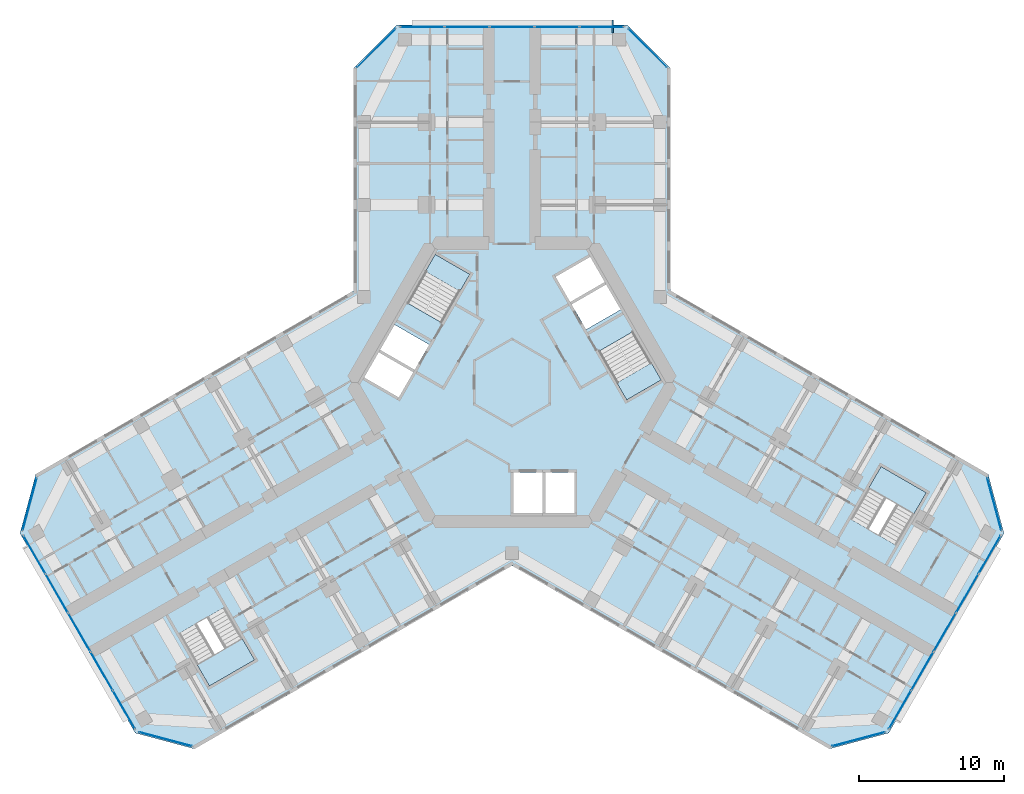
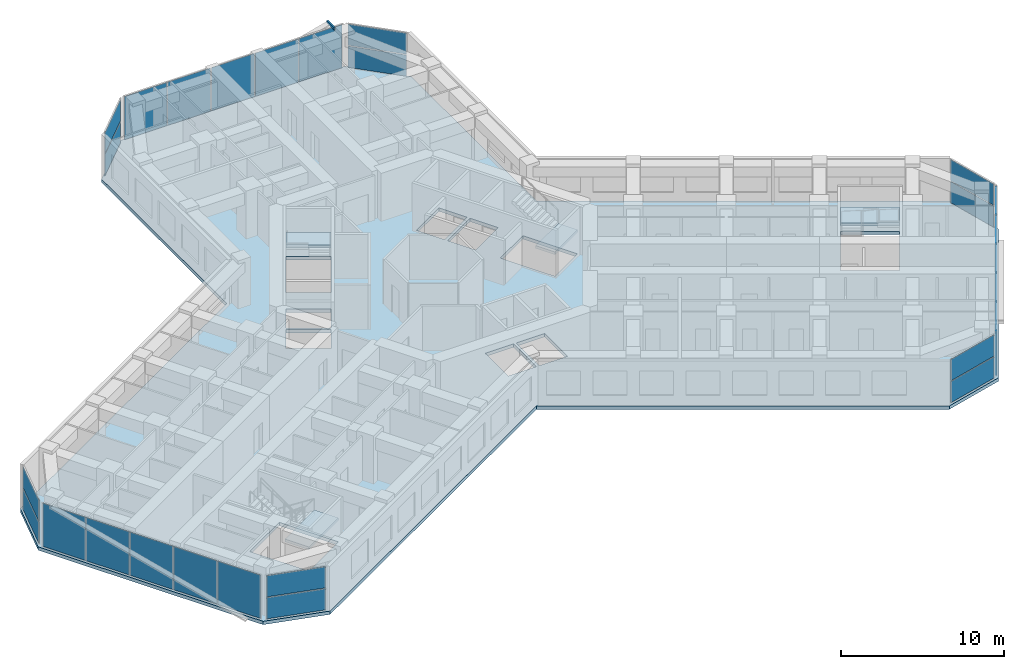
# One storey, part 9 of 19: 27 plates, 5 slabs, 1 member, 13 elements without a shape of their own.
"""IFC4 building model written with IfcOpenShell, lengths in metres."""

import ifcopenshell
import ifcopenshell.guid

model = None  # the IFC model being written
_history = None  # IfcOwnerHistory: only IFC2X3 demands one
_inside = {}  # id of a spatial element -> (the spatial element, [elements in it])
_under = {}  # id of a project, library or spatial element -> (it, [spatial elements below it])
_declared = {}  # id of a project -> (the project, [libraries it declares])
_typed = {}  # id of a type object -> (the type object, [elements of that type])
_made_of = {}  # id of a material, layer set ... -> (it, [elements and type objects made of it])


def new_model(schema):
    """Start an empty IFC model of exactly this schema.

    Asked for "IFC4X3", IfcOpenShell would pick the latest addendum, in which some entities
    have other attributes; the version numbers below select the first issue.
    IFC2X3 requires an IfcOwnerHistory on every rooted entity: one is made here for all.
    """
    global model, _history
    if schema == "IFC4X3":
        model = ifcopenshell.file(schema_version=(4, 3, 0, 0))
    else:
        model = ifcopenshell.file(schema=schema)
    _inside.clear()
    _under.clear()
    _declared.clear()
    _typed.clear()
    _made_of.clear()
    _history = None
    if model.schema == "IFC2X3":
        org = make("IfcOrganization", Name="unknown")
        user = make(
            "IfcPersonAndOrganization",
            ThePerson=make("IfcPerson", FamilyName="unknown"),
            TheOrganization=org,
        )
        app = make(
            "IfcApplication",
            ApplicationDeveloper=org,
            Version="unknown",
            ApplicationFullName="unknown",
            ApplicationIdentifier="unknown",
        )
        _history = make(
            "IfcOwnerHistory",
            OwningUser=user,
            OwningApplication=app,
            ChangeAction="ADDED",
            CreationDate=0,
        )
    return model


def make(cls, **values):
    """One entity of the class cls with the attributes given. An attribute that is None is left unset."""
    return model.create_entity(
        cls, **{name: value for name, value in values.items() if value is not None}
    )


def rooted(cls, **values):
    """An entity with a GlobalId (a new one), such as an element, a storey or a relation."""
    return make(cls, GlobalId=ifcopenshell.guid.new(), OwnerHistory=_history, **values)


def si_unit(unit_type, name, prefix=None):
    """IfcSIUnit, for example si_unit("LENGTHUNIT", "METRE", prefix="MILLI")."""
    return make("IfcSIUnit", UnitType=unit_type, Prefix=prefix, Name=name)


def assignment(units):
    """IfcUnitAssignment: the units of a project."""
    return None if units is None else make("IfcUnitAssignment", Units=units)


def point(xyz):
    """IfcCartesianPoint."""
    return None if xyz is None else make("IfcCartesianPoint", Coordinates=xyz)


def direction(xyz):
    """IfcDirection."""
    return None if xyz is None else make("IfcDirection", DirectionRatios=xyz)


def frame(location, z_axis=None, x_axis=None):
    """IfcAxis2Placement3D, a coordinate frame: its origin and axes. An axis left out is left unset."""
    return make(
        "IfcAxis2Placement3D",
        Location=point(location),
        Axis=direction(z_axis),
        RefDirection=direction(x_axis),
    )


def frame_2d(location, x_axis=None):
    """IfcAxis2Placement2D, a coordinate frame in the plane: its origin and x axis."""
    return make(
        "IfcAxis2Placement2D", Location=point(location), RefDirection=direction(x_axis)
    )


def origin():
    """The frame at (0, 0, 0) with its axes left unset."""
    return frame((0.0, 0.0, 0.0))


def origin_2d():
    """The frame at (0, 0) in the plane with its x axis left unset."""
    return frame_2d((0.0, 0.0))


def place(relative_to, where):
    """IfcLocalPlacement: puts the frame where relative to a parent placement (None: the world)."""
    return make(
        "IfcLocalPlacement", PlacementRelTo=relative_to, RelativePlacement=where
    )


def context(
    kind, dimensions, precision=None, world=None, true_north=None, identifier=None
):
    """IfcGeometricRepresentationContext, for example the 3D "Model" context."""
    return make(
        "IfcGeometricRepresentationContext",
        ContextIdentifier=identifier,
        ContextType=kind,
        CoordinateSpaceDimension=dimensions,
        Precision=precision,
        WorldCoordinateSystem=world,
        TrueNorth=true_north,
    )


def subcontext(parent, identifier, kind, view, scale=None):
    """IfcGeometricRepresentationSubContext, for example "Body" below "Model"."""
    return make(
        "IfcGeometricRepresentationSubContext",
        ContextIdentifier=identifier,
        ContextType=kind,
        ParentContext=parent,
        TargetScale=scale,
        TargetView=view,
    )


def project(units=None, contexts=None):
    """IfcProject with its units and contexts."""
    return rooted(
        "IfcProject",
        Name="project",
        RepresentationContexts=contexts,
        UnitsInContext=assignment(units),
    )


def spatial(cls, under=None, at=None, **own):
    """A site, building, storey or space (cls), placed at a placement, below another one or the project."""
    s = rooted(cls, ObjectPlacement=at, **own)
    if under is not None:
        _under.setdefault(under.id(), (under, []))[1].append(s)
    return s


def polyline(points):
    """IfcPolyline through the points."""
    return make("IfcPolyline", Points=[point(p) for p in points])


def profile(cls, at=None, kind="AREA", **sizes):
    """A parametric profile (cls). Its sizes go by their IFC names, for example OverallWidth=200.0."""
    return make(cls, ProfileType=kind, Position=at, **sizes)


def rectangle(**sizes):
    """IfcRectangleProfileDef."""
    return profile("IfcRectangleProfileDef", **sizes)


def hollow_rectangle(**sizes):
    """IfcRectangleHollowProfileDef."""
    return profile("IfcRectangleHollowProfileDef", **sizes)


def outline(outer, holes=None, kind="AREA"):
    """IfcArbitraryClosedProfileDef: a profile drawn as a closed curve; with holes, ...WithVoids."""
    if holes is None:
        return make("IfcArbitraryClosedProfileDef", ProfileType=kind, OuterCurve=outer)
    return make(
        "IfcArbitraryProfileDefWithVoids",
        ProfileType=kind,
        OuterCurve=outer,
        InnerCurves=holes,
    )


def extrude(swept, where, along, depth):
    """IfcExtrudedAreaSolid: the profile swept, set in the frame where, extruded along a direction by depth."""
    return make(
        "IfcExtrudedAreaSolid",
        SweptArea=swept,
        Position=where,
        ExtrudedDirection=direction(along),
        Depth=depth,
    )


def shape(context_of_items, identifier, shape_type, items):
    """IfcShapeRepresentation: the items that make up one representation, for example the "Body"."""
    return make(
        "IfcShapeRepresentation",
        ContextOfItems=context_of_items,
        RepresentationIdentifier=identifier,
        RepresentationType=shape_type,
        Items=items,
    )


def material(Name=None, Category=None):
    """IfcMaterial."""
    return make("IfcMaterial", Name=Name, Category=Category)


def layer(
    of_material, thickness, ventilated=None, Name=None, Category=None, Priority=None
):
    """IfcMaterialLayer: one layer of a wall or slab, of a material (None: an air gap)."""
    return make(
        "IfcMaterialLayer",
        Material=of_material,
        LayerThickness=thickness,
        IsVentilated=ventilated,
        Name=Name,
        Category=Category,
        Priority=Priority,
    )


def layer_set(layers, Name=None):
    """IfcMaterialLayerSet."""
    return make("IfcMaterialLayerSet", MaterialLayers=layers, LayerSetName=Name)


def material_profile(
    of_material, cross_section, Name=None, Category=None, Priority=None
):
    """IfcMaterialProfile: a cross section and its material."""
    return make(
        "IfcMaterialProfile",
        Name=Name,
        Material=of_material,
        Profile=cross_section,
        Priority=Priority,
        Category=Category,
    )


def profile_set(profiles, Name=None, composite=None):
    """IfcMaterialProfileSet."""
    return make(
        "IfcMaterialProfileSet",
        Name=Name,
        MaterialProfiles=profiles,
        CompositeProfile=composite,
    )


def made_of(thing, what):
    """Note that an element or type object is made of a material, layer set ...; save() writes the relation."""
    if what is not None:
        _made_of.setdefault(what.id(), (what, []))[1].append(thing)
    return thing


def type_object(cls, material=None, **own):
    """A type object (cls), such as IfcWallType, which elements share."""
    return made_of(rooted(cls, **own), material)


def element(
    cls,
    number,
    at=None,
    inside=None,
    cuts=None,
    type_object=None,
    material=None,
    context=None,
    identifier="Body",
    shape_type=None,
    held_by="IfcProductDefinitionShape",
    body=None,
    shapes=None,
    **own,
):
    """One element of the class cls, such as IfcWall. Its Tag is "e" and its number.

    at: its placement. inside: the storey or other place that contains it. cuts: it is an
    opening in that element (IfcRelVoidsElement). A single representation is given by context,
    identifier, shape_type and body (its items); several are given by shapes. held_by: the class
    of the entity that holds the representations. save() writes the other relations.
    """
    e = rooted(cls, Tag="e%d" % number, ObjectPlacement=at, **own)
    if body is not None:
        shapes = [shape(context, identifier, shape_type, body)]
    if shapes is not None:
        e.Representation = make(held_by, Representations=shapes)
    if inside is not None:
        _inside.setdefault(inside.id(), (inside, []))[1].append(e)
    if cuts is not None:
        rooted(
            "IfcRelVoidsElement", RelatingBuildingElement=cuts, RelatedOpeningElement=e
        )
    if type_object is not None:
        _typed.setdefault(type_object.id(), (type_object, []))[1].append(e)
    return made_of(e, material)


def aggregate(whole, parts):
    """IfcRelAggregates: a whole, such as a stair, and the parts it consists of."""
    return rooted("IfcRelAggregates", RelatingObject=whole, RelatedObjects=parts)


def save(model, path):
    """Write the relations noted so far, then the file.

    IfcRelAggregates (storeys below a building ...), IfcRelContainedInSpatialStructure (elements
    in a storey), IfcRelDefinesByType, IfcRelAssociatesMaterial and IfcRelDeclares: one each for
    every whole, place, type object, material and project.
    """
    for whole, parts in _under.values():
        aggregate(whole, parts)
    for where, things in _inside.values():
        rooted(
            "IfcRelContainedInSpatialStructure",
            RelatedElements=things,
            RelatingStructure=where,
        )
    for kind, things in _typed.values():
        rooted("IfcRelDefinesByType", RelatedObjects=things, RelatingType=kind)
    for what, things in _made_of.values():
        rooted("IfcRelAssociatesMaterial", RelatedObjects=things, RelatingMaterial=what)
    for by, libraries in _declared.values():
        rooted("IfcRelDeclares", RelatingContext=by, RelatedDefinitions=libraries)
    model.write(path)


model = new_model("IFC4")

# Units and contexts
model_context = context("Model", 3, precision=1e-05, world=origin(), true_north=direction((0.0, 1.0)))
body_context = subcontext(model_context, "Body", "Model", "MODEL_VIEW")
ifc_project = project(units=[si_unit("LENGTHUNIT", "METRE"), si_unit("AREAUNIT", "SQUARE_METRE"), si_unit("VOLUMEUNIT", "CUBIC_METRE"), si_unit("PLANEANGLEUNIT", "RADIAN"), si_unit("MASSUNIT", "GRAM", prefix="KILO")], contexts=[model_context])

# Site, building, storey
site_placement = place(None, origin())
site = spatial("IfcSite", under=ifc_project, at=site_placement, CompositionType="ELEMENT")
building_placement = place(site_placement, origin())
building = spatial("IfcBuilding", under=site, at=building_placement, Name="Kosmar Iwan School Tower", CompositionType="ELEMENT")
storey_placement = place(building_placement, frame((0.0, 0.0, 165.199951171875)))
storey = spatial("IfcBuildingStorey", under=building, at=storey_placement, Name="L41", CompositionType="ELEMENT", Elevation=165.199951171875)

# Member
ifc_material_1 = material(Name="Steel S355", Category="steel")
ifc_material_profile = material_profile(ifc_material_1, hollow_rectangle(XDim=0.10009765625, YDim=0.199951171875, WallThickness=0.008056640625, at=origin_2d()), Name="RHS 200x100x8")
ifc_profile_set = profile_set([ifc_material_profile], Name="Steel S355")
member_type = type_object("IfcMemberType", Name="Fin bracket RHS 200x100", PredefinedType="USERDEFINED", material=ifc_profile_set)
member_placement = place(storey_placement, frame((6.949951171875, 24.10009765625, 3.47509765625), z_axis=(0.0, 1.0, 0.0), x_axis=(-1.0, 0.0, 0.0)))
element("IfcMember", 1, at=member_placement, inside=storey, type_object=member_type, Name="Fin bracket L42", ObjectType="FIN BRACKET", PredefinedType="USERDEFINED", context=body_context, shape_type="SweptSolid", body=[
    extrude(hollow_rectangle(XDim=0.10009765625, YDim=0.199951171875, WallThickness=0.008056640625, at=origin_2d()), origin(), (0.0, 0.0, 1.0), 0.89990234375),
])

# Curtain wall, plates
ifc_material_2 = material(Name="Dark glass in black aluminium frame", Category="aluminium")
curtain_wall_type_1 = type_object("IfcCurtainWallType", Name="Chamfer curtain wall dark glass", PredefinedType="USERDEFINED", material=ifc_material_2)
curtain_wall_1_placement = place(storey_placement, origin())
curtain_wall_1 = element("IfcCurtainWall", 2, at=curtain_wall_1_placement, inside=storey, type_object=curtain_wall_type_1, Name="Curtain wall L41-F02", ObjectType="FACETED CURTAIN WALL", PredefinedType="USERDEFINED")
ifc_material_3 = material(Name="Dark glass", Category="glass")
ifc_layer_1 = layer(ifc_material_3, 0.028076171875)
ifc_layer_set_1 = layer_set([ifc_layer_1], Name="Dark glass panel 28")
plate_type = type_object("IfcPlateType", Name="Dark glass panel 28", PredefinedType="CURTAIN_PANEL", material=ifc_layer_set_1)
plate_1_placement = place(storey_placement, frame((23.908203125, -24.61328125, 0.06005859375), z_axis=(0.0, 0.0, 1.0), x_axis=(0.965925875495, 0.258818861462, 0.0)))
plate_1 = element("IfcPlate", 3, at=plate_1_placement, type_object=plate_type, Name="CW2 panel 1.1", PredefinedType="CURTAIN_PANEL", context=body_context, shape_type="SweptSolid", body=[
    extrude(rectangle(XDim=3.718994140625, YDim=0.028076171875, at=origin_2d()), origin(), (0.0, 0.0, 1.0), 1.5849609375),
])
plate_2_placement = place(storey_placement, frame((23.908203125, -24.61328125, 1.705078125), z_axis=(0.0, 0.0, 1.0), x_axis=(0.965925875495, 0.258818861462, 0.0)))
plate_2 = element("IfcPlate", 4, at=plate_2_placement, type_object=plate_type, Name="CW2 panel 1.2", PredefinedType="CURTAIN_PANEL", context=body_context, shape_type="SweptSolid", body=[
    extrude(rectangle(XDim=3.718994140625, YDim=0.028076171875, at=origin_2d()), origin(), (0.0, 0.0, 1.0), 1.5849609375),
])
aggregate(curtain_wall_1, [plate_1, plate_2])

ifc_material_4 = material(Name="Dark glass in black aluminium frame", Category="aluminium")
curtain_wall_type_2 = type_object("IfcCurtainWallType", Name="Tower curtain wall dark glass", PredefinedType="USERDEFINED", material=ifc_material_4)
curtain_wall_2_placement = place(storey_placement, origin())
curtain_wall_2 = element("IfcCurtainWall", 5, at=curtain_wall_2_placement, inside=storey, type_object=curtain_wall_type_2, Name="Curtain wall L41-F03", ObjectType="UNITISED CURTAIN WALL", PredefinedType="USERDEFINED")
plate_3_placement = place(storey_placement, frame((26.764404296875, -22.592529296875, 0.06005859375), z_axis=(0.0, 0.0, 1.0), x_axis=(0.499999997325, 0.866025405329, 0.0)))
plate_3 = element("IfcPlate", 6, at=plate_3_placement, type_object=plate_type, Name="CW1 panel 1.1", PredefinedType="CURTAIN_PANEL", context=body_context, shape_type="SweptSolid", body=[
    extrude(rectangle(XDim=3.00927734375, YDim=0.028076171875, at=origin_2d()), origin(), (0.0, 0.0, 1.0), 3.22998046875),
])
plate_4_placement = place(storey_placement, frame((28.306640625, -19.921630859375, 0.06005859375), z_axis=(0.0, 0.0, 1.0), x_axis=(0.499999997325, 0.866025405329, 0.0)))
plate_4 = element("IfcPlate", 7, at=plate_4_placement, type_object=plate_type, Name="CW1 panel 2.1", PredefinedType="CURTAIN_PANEL", context=body_context, shape_type="SweptSolid", body=[
    extrude(rectangle(XDim=3.039306640625, YDim=0.028076171875, at=origin_2d()), origin(), (0.0, 0.0, 1.0), 3.22998046875),
])
plate_5_placement = place(storey_placement, frame((29.856201171875, -17.237548828125, 0.06005859375), z_axis=(0.0, 0.0, 1.0), x_axis=(0.499999997325, 0.866025405329, 0.0)))
plate_5 = element("IfcPlate", 8, at=plate_5_placement, type_object=plate_type, Name="CW1 panel 3.1", PredefinedType="CURTAIN_PANEL", context=body_context, shape_type="SweptSolid", body=[
    extrude(rectangle(XDim=3.039306640625, YDim=0.028076171875, at=origin_2d()), origin(), (0.0, 0.0, 1.0), 3.22998046875),
])
plate_6_placement = place(storey_placement, frame((31.40576171875, -14.553466796875, 0.06005859375), z_axis=(0.0, 0.0, 1.0), x_axis=(0.499999997325, 0.866025405329, 0.0)))
plate_6 = element("IfcPlate", 9, at=plate_6_placement, type_object=plate_type, Name="CW1 panel 4.1", PredefinedType="CURTAIN_PANEL", context=body_context, shape_type="SweptSolid", body=[
    extrude(rectangle(XDim=3.039306640625, YDim=0.028076171875, at=origin_2d()), origin(), (0.0, 0.0, 1.0), 3.22998046875),
])
plate_7_placement = place(storey_placement, frame((32.947998046875, -11.88232421875, 0.06005859375), z_axis=(0.0, 0.0, 1.0), x_axis=(0.499999997325, 0.866025405329, 0.0)))
plate_7 = element("IfcPlate", 10, at=plate_7_placement, type_object=plate_type, Name="CW1 panel 5.1", PredefinedType="CURTAIN_PANEL", context=body_context, shape_type="SweptSolid", body=[
    extrude(rectangle(XDim=3.00927734375, YDim=0.028076171875, at=origin_2d()), origin(), (0.0, 0.0, 1.0), 3.22998046875),
])
aggregate(curtain_wall_2, [plate_3, plate_4, plate_5, plate_6, plate_7])

curtain_wall_3_placement = place(storey_placement, origin())
curtain_wall_3 = element("IfcCurtainWall", 11, at=curtain_wall_3_placement, inside=storey, type_object=curtain_wall_type_1, Name="Curtain wall L41-F04", ObjectType="FACETED CURTAIN WALL", PredefinedType="USERDEFINED")
plate_8_placement = place(storey_placement, frame((33.269775390625, -8.3984375, 0.06005859375), z_axis=(0.0, 0.0, 1.0), x_axis=(-0.258818861462, 0.965925875495, 0.0)))
plate_8 = element("IfcPlate", 12, at=plate_8_placement, type_object=plate_type, Name="CW2 panel 1.1", PredefinedType="CURTAIN_PANEL", context=body_context, shape_type="SweptSolid", body=[
    extrude(rectangle(XDim=3.718994140625, YDim=0.028076171875, at=origin_2d()), origin(), (0.0, 0.0, 1.0), 1.5849609375),
])
plate_9_placement = place(storey_placement, frame((33.269775390625, -8.3984375, 1.705078125), z_axis=(0.0, 0.0, 1.0), x_axis=(-0.258818861462, 0.965925875495, 0.0)))
plate_9 = element("IfcPlate", 13, at=plate_9_placement, type_object=plate_type, Name="CW2 panel 1.2", PredefinedType="CURTAIN_PANEL", context=body_context, shape_type="SweptSolid", body=[
    extrude(rectangle(XDim=3.718994140625, YDim=0.028076171875, at=origin_2d()), origin(), (0.0, 0.0, 1.0), 1.5849609375),
])
aggregate(curtain_wall_3, [plate_8, plate_9])

curtain_wall_4_placement = place(storey_placement, origin())
curtain_wall_4 = element("IfcCurtainWall", 14, at=curtain_wall_4_placement, inside=storey, type_object=curtain_wall_type_1, Name="Curtain wall L41-F07", ObjectType="FACETED CURTAIN WALL", PredefinedType="USERDEFINED")
plate_10_placement = place(storey_placement, frame((9.361572265625, 23.0615234375, 0.06005859375), z_axis=(0.0, 0.0, 1.0), x_axis=(-0.707106781187, 0.707106781187, 0.0)))
plate_10 = element("IfcPlate", 15, at=plate_10_placement, type_object=plate_type, Name="CW2 panel 1.1", PredefinedType="CURTAIN_PANEL", context=body_context, shape_type="SweptSolid", body=[
    extrude(rectangle(XDim=3.718994140625, YDim=0.028076171875, at=origin_2d()), origin(), (0.0, 0.0, 1.0), 1.5849609375),
])
plate_11_placement = place(storey_placement, frame((9.361572265625, 23.0615234375, 1.705078125), z_axis=(0.0, 0.0, 1.0), x_axis=(-0.707106781187, 0.707106781187, 0.0)))
plate_11 = element("IfcPlate", 16, at=plate_11_placement, type_object=plate_type, Name="CW2 panel 1.2", PredefinedType="CURTAIN_PANEL", context=body_context, shape_type="SweptSolid", body=[
    extrude(rectangle(XDim=3.718994140625, YDim=0.028076171875, at=origin_2d()), origin(), (0.0, 0.0, 1.0), 1.5849609375),
])
aggregate(curtain_wall_4, [plate_10, plate_11])

curtain_wall_5_placement = place(storey_placement, origin())
curtain_wall_5 = element("IfcCurtainWall", 17, at=curtain_wall_5_placement, inside=storey, type_object=curtain_wall_type_2, Name="Curtain wall L41-F08", ObjectType="UNITISED CURTAIN WALL", PredefinedType="USERDEFINED")
plate_12_placement = place(storey_placement, frame((6.18359375, 24.52490234375, 0.06005859375), z_axis=(0.0, 0.0, 1.0), x_axis=(-1.0, 0.0, 0.0)))
plate_12 = element("IfcPlate", 18, at=plate_12_placement, type_object=plate_type, Name="CW1 panel 1.1", PredefinedType="CURTAIN_PANEL", context=body_context, shape_type="SweptSolid", body=[
    extrude(rectangle(XDim=3.00927734375, YDim=0.028076171875, at=origin_2d()), origin(), (0.0, 0.0, 1.0), 3.22998046875),
])
plate_13_placement = place(storey_placement, frame((3.099365234375, 24.52490234375, 0.06005859375), z_axis=(0.0, 0.0, 1.0), x_axis=(-1.0, 0.0, 0.0)))
plate_13 = element("IfcPlate", 19, at=plate_13_placement, type_object=plate_type, Name="CW1 panel 2.1", PredefinedType="CURTAIN_PANEL", context=body_context, shape_type="SweptSolid", body=[
    extrude(rectangle(XDim=3.039306640625, YDim=0.028076171875, at=origin_2d()), origin(), (0.0, 0.0, 1.0), 3.22998046875),
])
plate_14_placement = place(storey_placement, frame((0.0, 24.52490234375, 0.06005859375), z_axis=(0.0, 0.0, 1.0), x_axis=(-1.0, 0.0, 0.0)))
plate_14 = element("IfcPlate", 20, at=plate_14_placement, type_object=plate_type, Name="CW1 panel 3.1", PredefinedType="CURTAIN_PANEL", context=body_context, shape_type="SweptSolid", body=[
    extrude(rectangle(XDim=3.039306640625, YDim=0.028076171875, at=origin_2d()), origin(), (0.0, 0.0, 1.0), 3.22998046875),
])
plate_15_placement = place(storey_placement, frame((-3.099365234375, 24.52490234375, 0.06005859375), z_axis=(0.0, 0.0, 1.0), x_axis=(-1.0, 0.0, 0.0)))
plate_15 = element("IfcPlate", 21, at=plate_15_placement, type_object=plate_type, Name="CW1 panel 4.1", PredefinedType="CURTAIN_PANEL", context=body_context, shape_type="SweptSolid", body=[
    extrude(rectangle(XDim=3.039306640625, YDim=0.028076171875, at=origin_2d()), origin(), (0.0, 0.0, 1.0), 3.22998046875),
])
plate_16_placement = place(storey_placement, frame((-6.18359375, 24.52490234375, 0.06005859375), z_axis=(0.0, 0.0, 1.0), x_axis=(-1.0, 0.0, 0.0)))
plate_16 = element("IfcPlate", 22, at=plate_16_placement, type_object=plate_type, Name="CW1 panel 5.1", PredefinedType="CURTAIN_PANEL", context=body_context, shape_type="SweptSolid", body=[
    extrude(rectangle(XDim=3.00927734375, YDim=0.028076171875, at=origin_2d()), origin(), (0.0, 0.0, 1.0), 3.22998046875),
])
aggregate(curtain_wall_5, [plate_12, plate_13, plate_14, plate_15, plate_16])

curtain_wall_6_placement = place(storey_placement, origin())
curtain_wall_6 = element("IfcCurtainWall", 23, at=curtain_wall_6_placement, inside=storey, type_object=curtain_wall_type_1, Name="Curtain wall L41-F09", ObjectType="FACETED CURTAIN WALL", PredefinedType="USERDEFINED")
plate_17_placement = place(storey_placement, frame((-9.361572265625, 23.0615234375, 0.06005859375), z_axis=(0.0, 0.0, 1.0), x_axis=(-0.707106781187, -0.707106781187, 0.0)))
plate_17 = element("IfcPlate", 24, at=plate_17_placement, type_object=plate_type, Name="CW2 panel 1.1", PredefinedType="CURTAIN_PANEL", context=body_context, shape_type="SweptSolid", body=[
    extrude(rectangle(XDim=3.718994140625, YDim=0.028076171875, at=origin_2d()), origin(), (0.0, 0.0, 1.0), 1.5849609375),
])
plate_18_placement = place(storey_placement, frame((-9.361572265625, 23.0615234375, 1.705078125), z_axis=(0.0, 0.0, 1.0), x_axis=(-0.707106781187, -0.707106781187, 0.0)))
plate_18 = element("IfcPlate", 25, at=plate_18_placement, type_object=plate_type, Name="CW2 panel 1.2", PredefinedType="CURTAIN_PANEL", context=body_context, shape_type="SweptSolid", body=[
    extrude(rectangle(XDim=3.718994140625, YDim=0.028076171875, at=origin_2d()), origin(), (0.0, 0.0, 1.0), 1.5849609375),
])
aggregate(curtain_wall_6, [plate_17, plate_18])

curtain_wall_7_placement = place(storey_placement, origin())
curtain_wall_7 = element("IfcCurtainWall", 26, at=curtain_wall_7_placement, inside=storey, type_object=curtain_wall_type_1, Name="Curtain wall L41-F12", ObjectType="FACETED CURTAIN WALL", PredefinedType="USERDEFINED")
plate_19_placement = place(storey_placement, frame((-33.269775390625, -8.3984375, 0.06005859375), z_axis=(0.0, 0.0, 1.0), x_axis=(-0.258818861462, -0.965925875495, 0.0)))
plate_19 = element("IfcPlate", 27, at=plate_19_placement, type_object=plate_type, Name="CW2 panel 1.1", PredefinedType="CURTAIN_PANEL", context=body_context, shape_type="SweptSolid", body=[
    extrude(rectangle(XDim=3.718994140625, YDim=0.028076171875, at=origin_2d()), origin(), (0.0, 0.0, 1.0), 1.5849609375),
])
plate_20_placement = place(storey_placement, frame((-33.269775390625, -8.3984375, 1.705078125), z_axis=(0.0, 0.0, 1.0), x_axis=(-0.258818861462, -0.965925875495, 0.0)))
plate_20 = element("IfcPlate", 28, at=plate_20_placement, type_object=plate_type, Name="CW2 panel 1.2", PredefinedType="CURTAIN_PANEL", context=body_context, shape_type="SweptSolid", body=[
    extrude(rectangle(XDim=3.718994140625, YDim=0.028076171875, at=origin_2d()), origin(), (0.0, 0.0, 1.0), 1.5849609375),
])
aggregate(curtain_wall_7, [plate_19, plate_20])

curtain_wall_8_placement = place(storey_placement, origin())
curtain_wall_8 = element("IfcCurtainWall", 29, at=curtain_wall_8_placement, inside=storey, type_object=curtain_wall_type_2, Name="Curtain wall L41-F13", ObjectType="UNITISED CURTAIN WALL", PredefinedType="USERDEFINED")
plate_21_placement = place(storey_placement, frame((-32.947998046875, -11.88232421875, 0.06005859375), z_axis=(0.0, 0.0, 1.0), x_axis=(0.499999997325, -0.866025405329, 0.0)))
plate_21 = element("IfcPlate", 30, at=plate_21_placement, type_object=plate_type, Name="CW1 panel 1.1", PredefinedType="CURTAIN_PANEL", context=body_context, shape_type="SweptSolid", body=[
    extrude(rectangle(XDim=3.00927734375, YDim=0.028076171875, at=origin_2d()), origin(), (0.0, 0.0, 1.0), 3.22998046875),
])
plate_22_placement = place(storey_placement, frame((-31.40576171875, -14.553466796875, 0.06005859375), z_axis=(0.0, 0.0, 1.0), x_axis=(0.499999997325, -0.866025405329, 0.0)))
plate_22 = element("IfcPlate", 31, at=plate_22_placement, type_object=plate_type, Name="CW1 panel 2.1", PredefinedType="CURTAIN_PANEL", context=body_context, shape_type="SweptSolid", body=[
    extrude(rectangle(XDim=3.039306640625, YDim=0.028076171875, at=origin_2d()), origin(), (0.0, 0.0, 1.0), 3.22998046875),
])
plate_23_placement = place(storey_placement, frame((-29.856201171875, -17.237548828125, 0.06005859375), z_axis=(0.0, 0.0, 1.0), x_axis=(0.499999997325, -0.866025405329, 0.0)))
plate_23 = element("IfcPlate", 32, at=plate_23_placement, type_object=plate_type, Name="CW1 panel 3.1", PredefinedType="CURTAIN_PANEL", context=body_context, shape_type="SweptSolid", body=[
    extrude(rectangle(XDim=3.039306640625, YDim=0.028076171875, at=origin_2d()), origin(), (0.0, 0.0, 1.0), 3.22998046875),
])
plate_24_placement = place(storey_placement, frame((-28.306640625, -19.921630859375, 0.06005859375), z_axis=(0.0, 0.0, 1.0), x_axis=(0.499999997325, -0.866025405329, 0.0)))
plate_24 = element("IfcPlate", 33, at=plate_24_placement, type_object=plate_type, Name="CW1 panel 4.1", PredefinedType="CURTAIN_PANEL", context=body_context, shape_type="SweptSolid", body=[
    extrude(rectangle(XDim=3.039306640625, YDim=0.028076171875, at=origin_2d()), origin(), (0.0, 0.0, 1.0), 3.22998046875),
])
plate_25_placement = place(storey_placement, frame((-26.764404296875, -22.592529296875, 0.06005859375), z_axis=(0.0, 0.0, 1.0), x_axis=(0.499999997325, -0.866025405329, 0.0)))
plate_25 = element("IfcPlate", 34, at=plate_25_placement, type_object=plate_type, Name="CW1 panel 5.1", PredefinedType="CURTAIN_PANEL", context=body_context, shape_type="SweptSolid", body=[
    extrude(rectangle(XDim=3.00927734375, YDim=0.028076171875, at=origin_2d()), origin(), (0.0, 0.0, 1.0), 3.22998046875),
])
aggregate(curtain_wall_8, [plate_21, plate_22, plate_23, plate_24, plate_25])

curtain_wall_9_placement = place(storey_placement, origin())
curtain_wall_9 = element("IfcCurtainWall", 35, at=curtain_wall_9_placement, inside=storey, type_object=curtain_wall_type_1, Name="Curtain wall L41-F14", ObjectType="FACETED CURTAIN WALL", PredefinedType="USERDEFINED")
plate_26_placement = place(storey_placement, frame((-23.908203125, -24.61328125, 0.06005859375), z_axis=(0.0, 0.0, 1.0), x_axis=(0.965925875495, -0.258818861462, 0.0)))
plate_26 = element("IfcPlate", 36, at=plate_26_placement, type_object=plate_type, Name="CW2 panel 1.1", PredefinedType="CURTAIN_PANEL", context=body_context, shape_type="SweptSolid", body=[
    extrude(rectangle(XDim=3.718994140625, YDim=0.028076171875, at=origin_2d()), origin(), (0.0, 0.0, 1.0), 1.5849609375),
])
plate_27_placement = place(storey_placement, frame((-23.908203125, -24.61328125, 1.705078125), z_axis=(0.0, 0.0, 1.0), x_axis=(0.965925875495, -0.258818861462, 0.0)))
plate_27 = element("IfcPlate", 37, at=plate_27_placement, type_object=plate_type, Name="CW2 panel 1.2", PredefinedType="CURTAIN_PANEL", context=body_context, shape_type="SweptSolid", body=[
    extrude(rectangle(XDim=3.718994140625, YDim=0.028076171875, at=origin_2d()), origin(), (0.0, 0.0, 1.0), 1.5849609375),
])
aggregate(curtain_wall_9, [plate_26, plate_27])

# Stair, slab
ifc_material_5 = material(Name="Concrete C35/45", Category="concrete")
stair_type_1 = type_object("IfcStairType", Name="Escape stair 3600", PredefinedType="HALF_TURN_STAIR", material=ifc_material_5)
stair_1_placement = place(storey_placement, origin())
stair_1 = element("IfcStair", 38, at=stair_1_placement, inside=storey, type_object=stair_type_1, Name="Stair WS2 L41", PredefinedType="HALF_TURN_STAIR")
ifc_material_6 = material(Name="Concrete C35/45", Category="concrete")
ifc_layer_2 = layer(ifc_material_6, 0.199951171875)
ifc_layer_set_2 = layer_set([ifc_layer_2], Name="Escape stair landing 200")
slab_type_1 = type_object("IfcSlabType", Name="Escape stair landing 200", PredefinedType="LANDING", material=ifc_layer_set_2)
slab_1_placement = place(storey_placement, frame((0.0, 0.0, 1.60009765625)))
slab_1 = element("IfcSlab", 39, at=slab_1_placement, type_object=slab_type_1, Name="WS2 landing 1", PredefinedType="LANDING", context=body_context, shape_type="SweptSolid", body=[
    extrude(outline(polyline([(-18.607421875, -17.671142578125), (-21.72509765625, -19.47119140625), (-20.875, -20.943359375), (-17.75732421875, -19.143310546875), (-18.607421875, -17.671142578125)])), origin(), (0.0, 0.0, 1.0), 0.199951171875),
])
aggregate(stair_1, [slab_1])

stair_2_placement = place(storey_placement, origin())
stair_2 = element("IfcStair", 40, at=stair_2_placement, inside=storey, type_object=stair_type_1, Name="Stair WS3 L41", PredefinedType="HALF_TURN_STAIR")
slab_2_placement = place(storey_placement, frame((0.0, 0.0, 1.60009765625)))
slab_2 = element("IfcSlab", 41, at=slab_2_placement, type_object=slab_type_1, Name="WS3 landing 1", PredefinedType="LANDING", context=body_context, shape_type="SweptSolid", body=[
    extrude(outline(polyline([(24.607421875, -7.27880859375), (27.72509765625, -9.078857421875), (28.574951171875, -7.606689453125), (25.457275390625, -5.806640625), (24.607421875, -7.27880859375)])), origin(), (0.0, 0.0, 1.0), 0.199951171875),
])
aggregate(stair_2, [slab_2])

# Slab
ifc_material_7 = material(Name="Concrete C35/45", Category="concrete")
ifc_layer_3 = layer(ifc_material_7, 0.25)
ifc_layer_set_3 = layer_set([ifc_layer_3], Name="Floor slab 250")
slab_type_2 = type_object("IfcSlabType", Name="Floor slab 250", PredefinedType="FLOOR", material=ifc_layer_set_3)
slab_3_placement = place(storey_placement, frame((0.0, 0.0, -0.25)))
element("IfcSlab", 42, at=slab_3_placement, inside=storey, type_object=slab_type_2, Name="L41 floor slab", PredefinedType="FLOOR", context=body_context, shape_type="SweptSolid", body=[
    extrude(outline(polyline([(-21.891357421875, -25.282958984375), (0.0, -12.64404296875), (21.891357421875, -25.282958984375), (25.989501953125, -24.184814453125), (33.939453125, -10.4150390625), (32.84130859375, -6.317138671875), (10.949951171875, 6.322021484375), (10.949951171875, 21.64990234375), (7.949951171875, 24.64990234375), (-7.949951171875, 24.64990234375), (-10.949951171875, 21.64990234375), (-10.949951171875, 6.322021484375), (-32.84130859375, -6.317138671875), (-33.939453125, -10.4150390625), (-25.989501953125, -24.184814453125), (-21.891357421875, -25.282958984375)]), holes=[polyline([(7.91259765625, -1.205078125), (10.294189453125, 0.169921875), (8.3642578125, 3.5126953125), (5.982666015625, 2.1376953125), (7.91259765625, -1.205078125)]), polyline([(-2.91259765625, 7.455078125), (-5.294189453125, 8.830078125), (-7.22412109375, 5.4873046875), (-4.8427734375, 4.1123046875), (-2.91259765625, 7.455078125)]), polyline([(-5.712646484375, 2.60546875), (-8.09423828125, 3.98046875), (-9.09423828125, 2.248291015625), (-6.712646484375, 0.873291015625), (-5.712646484375, 2.60546875)]), polyline([(-6.812744140625, 0.7001953125), (-9.1943359375, 2.0751953125), (-10.1943359375, 0.343017578125), (-7.812744140625, -1.031982421875), (-6.812744140625, 0.7001953125)]), polyline([(5.112548828125, 3.64453125), (7.494140625, 5.01953125), (6.494140625, 6.751708984375), (4.112548828125, 5.376708984375), (5.112548828125, 3.64453125)]), polyline([(4.0126953125, 5.5498046875), (6.394287109375, 6.9248046875), (5.394287109375, 8.656982421875), (3.0126953125, 7.281982421875), (4.0126953125, 5.5498046875)]), polyline([(0.10009765625, -6.199951171875), (0.10009765625, -9.0), (2.10009765625, -9.0), (2.10009765625, -6.199951171875), (0.10009765625, -6.199951171875)]), polyline([(2.300048828125, -6.199951171875), (2.300048828125, -9.0), (4.300048828125, -9.0), (4.300048828125, -6.199951171875), (2.300048828125, -6.199951171875)]), polyline([(-19.847412109375, -15.5234375), (-22.965087890625, -17.323486328125), (-20.875, -20.943359375), (-17.75732421875, -19.143310546875), (-19.847412109375, -15.5234375)]), polyline([(23.367431640625, -9.426513671875), (26.485107421875, -11.2265625), (28.574951171875, -7.606689453125), (25.457275390625, -5.806640625), (23.367431640625, -9.426513671875)])]), origin(), (0.0, 0.0, 1.0), 0.25),
])

# Stair, slab
ifc_material_8 = material(Name="Concrete C35/45", Category="concrete")
stair_type_2 = type_object("IfcStairType", Name="Core stair 2750", PredefinedType="HALF_TURN_STAIR", material=ifc_material_8)
stair_3_placement = place(storey_placement, origin())
stair_3 = element("IfcStair", 43, at=stair_3_placement, inside=storey, type_object=stair_type_2, Name="Stair ST2 L41", PredefinedType="HALF_TURN_STAIR")
ifc_material_9 = material(Name="Concrete C35/45", Category="concrete")
ifc_layer_4 = layer(ifc_material_9, 0.199951171875)
ifc_layer_set_4 = layer_set([ifc_layer_4], Name="Stair landing 200")
slab_type_3 = type_object("IfcSlabType", Name="Stair landing 200", PredefinedType="LANDING", material=ifc_layer_set_4)
slab_4_placement = place(storey_placement, frame((0.0, 0.0, 1.60009765625)))
slab_4 = element("IfcSlab", 44, at=slab_4_placement, type_object=slab_type_3, Name="ST2 landing 1", PredefinedType="LANDING", context=body_context, shape_type="SweptSolid", body=[
    extrude(outline(polyline([(-2.91259765625, 7.455078125), (-5.294189453125, 8.830078125), (-5.97412109375, 7.65234375), (-3.5927734375, 6.27734375), (-2.91259765625, 7.455078125)])), origin(), (0.0, 0.0, 1.0), 0.199951171875),
])
aggregate(stair_3, [slab_4])

stair_4_placement = place(storey_placement, origin())
stair_4 = element("IfcStair", 45, at=stair_4_placement, inside=storey, type_object=stair_type_2, Name="Stair ST1 L41", PredefinedType="HALF_TURN_STAIR")
slab_5_placement = place(storey_placement, frame((0.0, 0.0, 1.60009765625)))
slab_5 = element("IfcSlab", 46, at=slab_5_placement, type_object=slab_type_3, Name="ST1 landing 1", PredefinedType="LANDING", context=body_context, shape_type="SweptSolid", body=[
    extrude(outline(polyline([(7.91259765625, -1.205078125), (10.294189453125, 0.169921875), (9.6142578125, 1.34765625), (7.232666015625, -0.02734375), (7.91259765625, -1.205078125)])), origin(), (0.0, 0.0, 1.0), 0.199951171875),
])
aggregate(stair_4, [slab_5])

save(model, "model.ifc")
